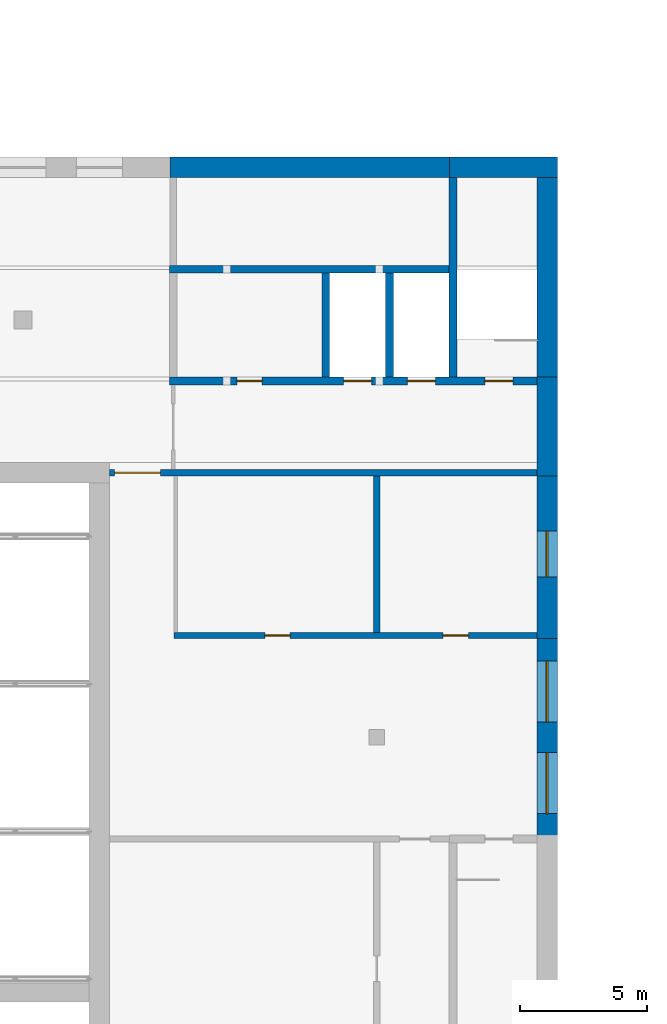
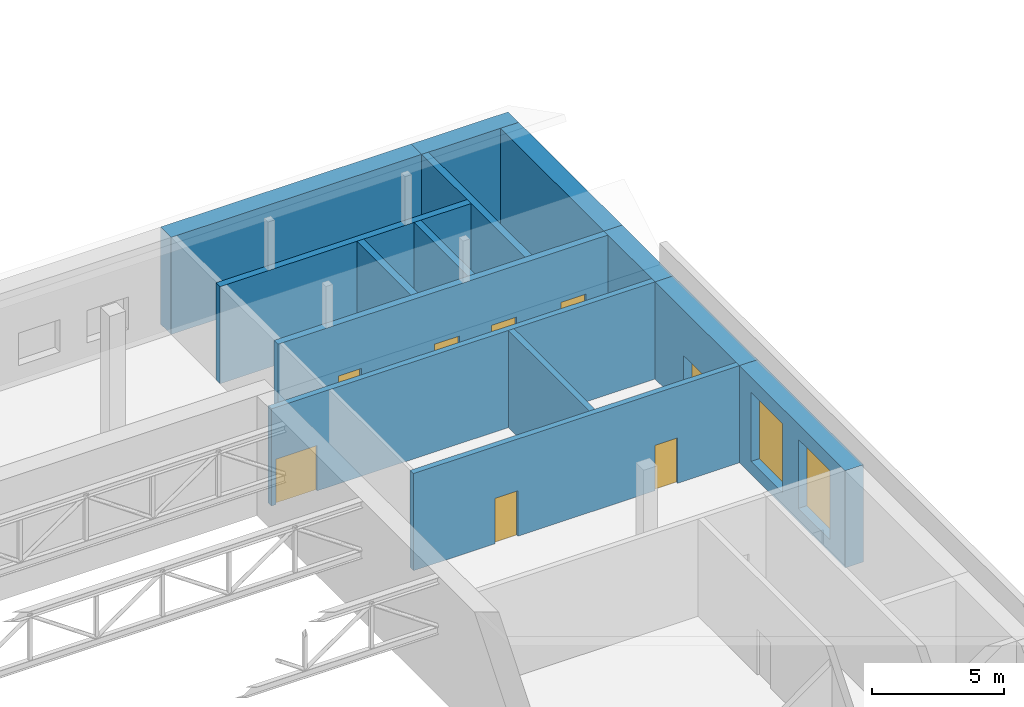
# One storey, part 18 of 35: 14 walls, 7 doors, 3 windows, 10 openings.
"""IFC4 building model written with IfcOpenShell, lengths in metres."""

from ifc_helpers import new_model, si_unit, direction, frame, frame_2d, origin, place, context, subcontext, project, spatial, rectangle, extrude, material, layer, layer_set, type_object, element, fill, save


model = new_model("IFC4")

# Units and contexts
model_context = context("Model", 3, precision=1e-05, world=origin(), true_north=direction((0.0, 1.0)))
body_context = subcontext(model_context, "Body", "Model", "MODEL_VIEW")
ifc_project = project(units=[si_unit("LENGTHUNIT", "METRE"), si_unit("AREAUNIT", "SQUARE_METRE"), si_unit("VOLUMEUNIT", "CUBIC_METRE"), si_unit("PLANEANGLEUNIT", "RADIAN"), si_unit("MASSUNIT", "GRAM", prefix="KILO")], contexts=[model_context])

# Site, building, storey
site_placement = place(None, origin())
site = spatial("IfcSite", under=ifc_project, at=site_placement, CompositionType="ELEMENT")
building_placement = place(site_placement, origin())
building = spatial("IfcBuilding", under=site, at=building_placement, Name="Kiln Ring Residences", CompositionType="ELEMENT")
storey_placement = place(building_placement, frame((0.0, 0.0, 20.89990234375)))
storey = spatial("IfcBuildingStorey", under=building, at=storey_placement, Name="L04", CompositionType="ELEMENT", Elevation=20.89990234375)

# Walls
ifc_material_1 = material(Name="Concrete C40/50", Category="concrete")
ifc_layer_1 = layer(ifc_material_1, 0.800048828125)
ifc_layer_set_1 = layer_set([ifc_layer_1], Name="Hall Exposed brick-faced reinforced concrete C40/50 wall 800")
wall_type_1 = type_object("IfcWallType", Name="Hall Exposed brick-faced reinforced concrete C40/50 wall 800", PredefinedType="SOLIDWALL", material=ifc_layer_set_1)
wall_1_placement = place(storey_placement, frame((14.775146484375, -112.800048828125, 0.0), z_axis=(0.0, 0.0, 1.0), x_axis=(1.0, 0.0, 0.0)))
element("IfcWall", 1, at=wall_1_placement, inside=storey, type_object=wall_type_1, Name="Hall wall L04 29", PredefinedType="SOLIDWALL", context=body_context, shape_type="SweptSolid", body=[
    extrude(rectangle(XDim=11.274658203125, YDim=0.800048828125, at=frame_2d((5.63720703125, 0.0))), origin(), (0.0, 0.0, 1.0), 4.5),
])
wall_2_placement = place(storey_placement, frame((25.75, -112.800048828125, 0.0), z_axis=(0.0, 0.0, 1.0), x_axis=(1.0, 0.0, 0.0)))
element("IfcWall", 2, at=wall_2_placement, inside=storey, type_object=wall_type_1, Name="Hall wall L04 30", PredefinedType="SOLIDWALL", context=body_context, shape_type="SweptSolid", body=[
    extrude(rectangle(XDim=4.25, YDim=0.800048828125, at=frame_2d((2.125, 0.0))), origin(), (0.0, 0.0, 1.0), 4.5),
])

# Wall, openings, windows
wall_3_placement = place(storey_placement, frame((29.60009765625, -131.0751953125, 0.0), z_axis=(0.0, 0.0, 1.0), x_axis=(0.0, -1.0, 0.0)))
wall_3 = element("IfcWall", 3, at=wall_3_placement, inside=storey, type_object=wall_type_1, Name="Hall wall L04 65", PredefinedType="SOLIDWALL", context=body_context, shape_type="SweptSolid", body=[
    extrude(rectangle(XDim=8.274658203125, YDim=0.800048828125, at=frame_2d((4.13720703125, 0.0))), origin(), (0.0, 0.0, 1.0), 4.5),
])
opening_1_placement = place(wall_3_placement, frame((4.724853515625, 0.0, 0.60009765625)))
opening_1 = element("IfcOpeningElement", 4, at=opening_1_placement, cuts=wall_3, Name="Opening WL04-12", PredefinedType="OPENING", context=body_context, shape_type="SweptSolid", body=[
    extrude(rectangle(XDim=2.39990234375, YDim=3.199951171875, at=frame_2d((1.199951171875, 1.60009765625))), frame((0.0, 0.409912109375, 0.0), z_axis=(0.0, -1.0, 0.0), x_axis=(1.0, 0.0, 0.0)), (0.0, 0.0, 1.0), 0.820068359375),
])
opening_2_placement = place(wall_3_placement, frame((1.125, 0.0, 0.60009765625)))
opening_2 = element("IfcOpeningElement", 5, at=opening_2_placement, cuts=wall_3, Name="Opening WL04-13", PredefinedType="OPENING", context=body_context, shape_type="SweptSolid", body=[
    extrude(rectangle(XDim=2.39990234375, YDim=3.199951171875, at=frame_2d((1.199951171875, 1.60009765625))), frame((0.0, 0.409912109375, 0.0), z_axis=(0.0, -1.0, 0.0), x_axis=(1.0, 0.0, 0.0)), (0.0, 0.0, 1.0), 0.820068359375),
])
ifc_material_2 = material(Name="Glazing in aluminium frame", Category="aluminium")
window_type_1 = type_object("IfcWindowType", Name="Hall foyer window 2400 x 3200", PartitioningType="SINGLE_PANEL", PredefinedType="WINDOW", material=ifc_material_2)
window_1_placement = place(opening_1_placement, origin())
window_1 = element("IfcWindow", 6, at=window_1_placement, inside=storey, type_object=window_type_1, Name="Hall window L04-12", OverallHeight=3.199951171875, OverallWidth=2.39990234375, PartitioningType="SINGLE_PANEL", PredefinedType="WINDOW", context=body_context, shape_type="SweptSolid", body=[
    extrude(rectangle(XDim=2.39990234375, YDim=3.199951171875, at=frame_2d((1.199951171875, 1.60009765625))), frame((0.0, 0.030029296875, 0.0), z_axis=(0.0, -1.0, 0.0), x_axis=(1.0, 0.0, 0.0)), (0.0, 0.0, 1.0), 0.06005859375),
])
fill(opening_1, window_1)
window_2_placement = place(opening_2_placement, origin())
window_2 = element("IfcWindow", 7, at=window_2_placement, inside=storey, type_object=window_type_1, Name="Hall window L04-13", OverallHeight=3.199951171875, OverallWidth=2.39990234375, PartitioningType="SINGLE_PANEL", PredefinedType="WINDOW", context=body_context, shape_type="SweptSolid", body=[
    extrude(rectangle(XDim=2.39990234375, YDim=3.199951171875, at=frame_2d((1.199951171875, 1.60009765625))), frame((0.0, 0.030029296875, 0.0), z_axis=(0.0, -1.0, 0.0), x_axis=(1.0, 0.0, 0.0)), (0.0, 0.0, 1.0), 0.06005859375),
])
fill(opening_2, window_2)

# Wall, opening, window
wall_4_placement = place(storey_placement, frame((29.60009765625, -124.675048828125, 0.0), z_axis=(0.0, 0.0, 1.0), x_axis=(0.0, -1.0, 0.0)))
wall_4 = element("IfcWall", 8, at=wall_4_placement, inside=storey, type_object=wall_type_1, Name="Hall wall L04 66", PredefinedType="SOLIDWALL", context=body_context, shape_type="SweptSolid", body=[
    extrude(rectangle(XDim=6.64990234375, YDim=0.800048828125, at=frame_2d((3.324951171875, 0.0))), origin(), (0.0, 0.0, 1.0), 4.5),
])
opening_3_placement = place(wall_4_placement, frame((2.4248046875, 0.0, 0.89990234375)))
opening_3 = element("IfcOpeningElement", 9, at=opening_3_placement, cuts=wall_4, Name="Opening WL04-14", PredefinedType="OPENING", context=body_context, shape_type="SweptSolid", body=[
    extrude(rectangle(XDim=1.800048828125, YDim=1.5, at=frame_2d((0.89990234375, 0.75))), frame((0.0, 0.409912109375, 0.0), z_axis=(0.0, -1.0, 0.0), x_axis=(1.0, 0.0, 0.0)), (0.0, 0.0, 1.0), 0.820068359375),
])
ifc_material_3 = material(Name="Glazing in aluminium frame", Category="aluminium")
window_type_2 = type_object("IfcWindowType", Name="Hall room window 1800 x 1500", PartitioningType="DOUBLE_PANEL_VERTICAL", PredefinedType="WINDOW", material=ifc_material_3)
window_3_placement = place(opening_3_placement, origin())
window_3 = element("IfcWindow", 10, at=window_3_placement, inside=storey, type_object=window_type_2, Name="Hall window L04-14", OverallHeight=1.5, OverallWidth=1.800048828125, PartitioningType="SINGLE_PANEL", PredefinedType="WINDOW", context=body_context, shape_type="SweptSolid", body=[
    extrude(rectangle(XDim=1.800048828125, YDim=1.5, at=frame_2d((0.89990234375, 0.75))), frame((0.0, 0.030029296875, 0.0), z_axis=(0.0, -1.0, 0.0), x_axis=(1.0, 0.0, 0.0)), (0.0, 0.0, 1.0), 0.06005859375),
])
fill(opening_3, window_3)

# Walls
wall_5_placement = place(storey_placement, frame((29.60009765625, -121.050048828125, 0.0), z_axis=(0.0, 0.0, 1.0), x_axis=(0.0, -1.0, 0.0)))
element("IfcWall", 11, at=wall_5_placement, inside=storey, type_object=wall_type_1, Name="Hall wall L04 67", PredefinedType="SOLIDWALL", context=body_context, shape_type="SweptSolid", body=[
    extrude(rectangle(XDim=3.874755859375, YDim=0.800048828125, at=frame_2d((1.9375, 0.0))), origin(), (0.0, 0.0, 1.0), 4.5),
])
wall_6_placement = place(storey_placement, frame((29.60009765625, -113.199951171875, 0.0), z_axis=(0.0, 0.0, 1.0), x_axis=(0.0, -1.0, 0.0)))
element("IfcWall", 12, at=wall_6_placement, inside=storey, type_object=wall_type_1, Name="Hall wall L04 68", PredefinedType="SOLIDWALL", context=body_context, shape_type="SweptSolid", body=[
    extrude(rectangle(XDim=8.14990234375, YDim=0.800048828125, at=frame_2d((4.074951171875, 0.0))), origin(), (0.0, 0.0, 1.0), 4.5),
])

# Wall, openings, doors
ifc_material_4 = material(Name="Concrete C40/50", Category="concrete")
ifc_layer_2 = layer(ifc_material_4, 0.300048828125)
ifc_layer_set_2 = layer_set([ifc_layer_2], Name="Hall Reinforced concrete C40/50 core wall 300")
wall_type_2 = type_object("IfcWallType", Name="Hall Reinforced concrete C40/50 core wall 300", PredefinedType="SOLIDWALL", material=ifc_layer_set_2)
wall_7_placement = place(storey_placement, frame((14.75, -121.199951171875, 0.0), z_axis=(0.0, 0.0, 1.0), x_axis=(1.0, 0.0, 0.0)))
wall_7 = element("IfcWall", 13, at=wall_7_placement, inside=storey, type_object=wall_type_2, Name="Hall wall L04 23", PredefinedType="SOLIDWALL", context=body_context, shape_type="SweptSolid", body=[
    extrude(rectangle(XDim=14.449951171875, YDim=0.300048828125, at=frame_2d((7.22509765625, 0.0))), origin(), (0.0, 0.0, 1.0), 4.5),
])
opening_4_placement = place(wall_7_placement, frame((6.85009765625, 0.0, 0.0)))
opening_4 = element("IfcOpeningElement", 14, at=opening_4_placement, cuts=wall_7, Name="Opening L04-03", PredefinedType="OPENING", context=body_context, shape_type="SweptSolid", body=[
    extrude(rectangle(XDim=1.10009765625, YDim=2.10009765625, at=frame_2d((0.550048828125, 1.050048828125))), frame((0.0, 0.159912109375, 0.0), z_axis=(0.0, -1.0, 0.0), x_axis=(1.0, 0.0, 0.0)), (0.0, 0.0, 1.0), 0.320068359375),
])
opening_5_placement = place(wall_7_placement, frame((9.35009765625, 0.0, 0.0)))
opening_5 = element("IfcOpeningElement", 15, at=opening_5_placement, cuts=wall_7, Name="Opening L04-04", PredefinedType="OPENING", context=body_context, shape_type="SweptSolid", body=[
    extrude(rectangle(XDim=1.10009765625, YDim=2.10009765625, at=frame_2d((0.550048828125, 1.050048828125))), frame((0.0, 0.159912109375, 0.0), z_axis=(0.0, -1.0, 0.0), x_axis=(1.0, 0.0, 0.0)), (0.0, 0.0, 1.0), 0.320068359375),
])
opening_6_placement = place(wall_7_placement, frame((12.39990234375, 0.0, 0.0)))
opening_6 = element("IfcOpeningElement", 16, at=opening_6_placement, cuts=wall_7, Name="Opening L04-07", PredefinedType="OPENING", context=body_context, shape_type="SweptSolid", body=[
    extrude(rectangle(XDim=1.10009765625, YDim=2.10009765625, at=frame_2d((0.550048828125, 1.050048828125))), frame((0.0, 0.159912109375, 0.0), z_axis=(0.0, -1.0, 0.0), x_axis=(1.0, 0.0, 0.0)), (0.0, 0.0, 1.0), 0.320068359375),
])
opening_7_placement = place(wall_7_placement, frame((2.64990234375, 0.0, 0.0)))
opening_7 = element("IfcOpeningElement", 17, at=opening_7_placement, cuts=wall_7, Name="Opening L04-11", PredefinedType="OPENING", context=body_context, shape_type="SweptSolid", body=[
    extrude(rectangle(XDim=1.0, YDim=2.10009765625, at=frame_2d((0.5, 1.050048828125))), frame((0.0, 0.159912109375, 0.0), z_axis=(0.0, -1.0, 0.0), x_axis=(1.0, 0.0, 0.0)), (0.0, 0.0, 1.0), 0.320068359375),
])
ifc_material_5 = material(Name="Steel door leaf", Category="steel")
door_type_1 = type_object("IfcDoorType", Name="Hall Lift landing door 1100 x 2100", OperationType="DOUBLE_DOOR_SLIDING", PredefinedType="DOOR", material=ifc_material_5)
door_1_placement = place(opening_4_placement, origin())
door_1 = element("IfcDoor", 18, at=door_1_placement, inside=storey, type_object=door_type_1, Name="Hall door L04-03", OperationType="DOUBLE_DOOR_SLIDING", OverallHeight=2.10009765625, OverallWidth=1.10009765625, PredefinedType="DOOR", context=body_context, shape_type="SweptSolid", body=[
    extrude(rectangle(XDim=1.10009765625, YDim=2.10009765625, at=frame_2d((0.550048828125, 1.050048828125))), frame((0.0, 0.02490234375, 0.0), z_axis=(0.0, -1.0, 0.0), x_axis=(1.0, 0.0, 0.0)), (0.0, 0.0, 1.0), 0.050048828125),
])
fill(opening_4, door_1)
door_2_placement = place(opening_5_placement, origin())
door_2 = element("IfcDoor", 19, at=door_2_placement, inside=storey, type_object=door_type_1, Name="Hall door L04-04", OperationType="DOUBLE_DOOR_SLIDING", OverallHeight=2.10009765625, OverallWidth=1.10009765625, PredefinedType="DOOR", context=body_context, shape_type="SweptSolid", body=[
    extrude(rectangle(XDim=1.10009765625, YDim=2.10009765625, at=frame_2d((0.550048828125, 1.050048828125))), frame((0.0, 0.02490234375, 0.0), z_axis=(0.0, -1.0, 0.0), x_axis=(1.0, 0.0, 0.0)), (0.0, 0.0, 1.0), 0.050048828125),
])
fill(opening_5, door_2)
ifc_material_6 = material(Name="Steel door leaf", Category="steel")
door_type_2 = type_object("IfcDoorType", Name="Hall Single door 1000 x 2100", OperationType="SINGLE_SWING_LEFT", PredefinedType="DOOR", material=ifc_material_6)
door_3_placement = place(opening_7_placement, origin())
door_3 = element("IfcDoor", 20, at=door_3_placement, inside=storey, type_object=door_type_2, Name="Hall door L04-11", OperationType="SINGLE_SWING_LEFT", OverallHeight=2.10009765625, OverallWidth=1.0, PredefinedType="DOOR", context=body_context, shape_type="SweptSolid", body=[
    extrude(rectangle(XDim=1.0, YDim=2.10009765625, at=frame_2d((0.5, 1.050048828125))), frame((0.0, 0.02490234375, 0.0), z_axis=(0.0, -1.0, 0.0), x_axis=(1.0, 0.0, 0.0)), (0.0, 0.0, 1.0), 0.050048828125),
])
fill(opening_7, door_3)
ifc_material_7 = material(Name="Steel door leaf", Category="steel")
door_type_3 = type_object("IfcDoorType", Name="Hall Stair door 1100 x 2100", OperationType="SINGLE_SWING_LEFT", PredefinedType="DOOR", material=ifc_material_7)
door_4_placement = place(opening_6_placement, origin())
door_4 = element("IfcDoor", 21, at=door_4_placement, inside=storey, type_object=door_type_3, Name="Hall door L04-07", OperationType="SINGLE_SWING_LEFT", OverallHeight=2.10009765625, OverallWidth=1.10009765625, PredefinedType="DOOR", context=body_context, shape_type="SweptSolid", body=[
    extrude(rectangle(XDim=1.10009765625, YDim=2.10009765625, at=frame_2d((0.550048828125, 1.050048828125))), frame((0.0, 0.02490234375, 0.0), z_axis=(0.0, -1.0, 0.0), x_axis=(1.0, 0.0, 0.0)), (0.0, 0.0, 1.0), 0.050048828125),
])
fill(opening_6, door_4)

# Walls
wall_8_placement = place(storey_placement, frame((14.75, -116.800048828125, 0.0), z_axis=(0.0, 0.0, 1.0), x_axis=(1.0, 0.0, 0.0)))
element("IfcWall", 22, at=wall_8_placement, inside=storey, type_object=wall_type_2, Name="Hall wall L04 25", PredefinedType="SOLIDWALL", context=body_context, shape_type="SweptSolid", body=[
    extrude(rectangle(XDim=11.0, YDim=0.300048828125, at=frame_2d((5.5, 0.0))), origin(), (0.0, 0.0, 1.0), 4.5),
])
for number, where, z_axis, x_axis, name in (
    (23, (20.89990234375, -121.050048828125, 0.0), (0.0, 0.0, 1.0), (0.0, 1.0, 0.0), "Hall wall L04 55"),
    (24, (23.39990234375, -121.050048828125, 0.0), (0.0, 0.0, 1.0), (0.0, 1.0, 0.0), "Hall wall L04 58"),
):
    element("IfcWall", number, at=place(storey_placement, frame(where, z_axis=z_axis, x_axis=x_axis)), inside=storey, type_object=wall_type_2, Name=name, PredefinedType="SOLIDWALL", context=body_context, shape_type="SweptSolid", body=[
        extrude(rectangle(XDim=4.10009765625, YDim=0.300048828125, at=frame_2d((2.050048828125, 0.0))), origin(), (0.0, 0.0, 1.0), 4.5),
    ])
wall_9_placement = place(storey_placement, frame((25.89990234375, -121.050048828125, 0.0), z_axis=(0.0, 0.0, 1.0), x_axis=(0.0, 1.0, 0.0)))
element("IfcWall", 25, at=wall_9_placement, inside=storey, type_object=wall_type_2, Name="Hall wall L04 61", PredefinedType="SOLIDWALL", context=body_context, shape_type="SweptSolid", body=[
    extrude(rectangle(XDim=7.85009765625, YDim=0.300048828125, at=frame_2d((3.925048828125, 0.0))), origin(), (0.0, 0.0, 1.0), 4.5),
])

# Wall, openings, doors
ifc_material_8 = material(Name="Concrete C40/50", Category="concrete")
ifc_layer_3 = layer(ifc_material_8, 0.25)
ifc_layer_set_3 = layer_set([ifc_layer_3], Name="Hall Reinforced concrete C40/50 wall 250")
wall_type_3 = type_object("IfcWallType", Name="Hall Reinforced concrete C40/50 wall 250", PredefinedType="SOLIDWALL", material=ifc_layer_set_3)
wall_10_placement = place(storey_placement, frame((14.925048828125, -131.199951171875, 0.0), z_axis=(0.0, 0.0, 1.0), x_axis=(1.0, 0.0, 0.0)))
wall_10 = element("IfcWall", 26, at=wall_10_placement, inside=storey, type_object=wall_type_3, Name="Hall wall L04 18", PredefinedType="SOLIDWALL", context=body_context, shape_type="SweptSolid", body=[
    extrude(rectangle(XDim=14.27490234375, YDim=0.25, at=frame_2d((7.137451171875, 0.0))), origin(), (0.0, 0.0, 1.0), 4.5),
])
opening_8_placement = place(wall_10_placement, frame((3.574951171875, 0.0, 0.0)))
opening_8 = element("IfcOpeningElement", 27, at=opening_8_placement, cuts=wall_10, Name="Opening L04-26", PredefinedType="OPENING", context=body_context, shape_type="SweptSolid", body=[
    extrude(rectangle(XDim=1.0, YDim=2.10009765625, at=frame_2d((0.5, 1.050048828125))), frame((0.0, 0.135009765625, 0.0), z_axis=(0.0, -1.0, 0.0), x_axis=(1.0, 0.0, 0.0)), (0.0, 0.0, 1.0), 0.27001953125),
])
opening_9_placement = place(wall_10_placement, frame((10.574951171875, 0.0, 0.0)))
opening_9 = element("IfcOpeningElement", 28, at=opening_9_placement, cuts=wall_10, Name="Opening L04-27", PredefinedType="OPENING", context=body_context, shape_type="SweptSolid", body=[
    extrude(rectangle(XDim=1.0, YDim=2.10009765625, at=frame_2d((0.5, 1.050048828125))), frame((0.0, 0.135009765625, 0.0), z_axis=(0.0, -1.0, 0.0), x_axis=(1.0, 0.0, 0.0)), (0.0, 0.0, 1.0), 0.27001953125),
])
door_5_placement = place(opening_8_placement, origin())
door_5 = element("IfcDoor", 29, at=door_5_placement, inside=storey, type_object=door_type_2, Name="Hall door L04-26", OperationType="SINGLE_SWING_RIGHT", OverallHeight=2.10009765625, OverallWidth=1.0, PredefinedType="DOOR", context=body_context, shape_type="SweptSolid", body=[
    extrude(rectangle(XDim=1.0, YDim=2.10009765625, at=frame_2d((0.5, 1.050048828125))), frame((0.0, 0.02490234375, 0.0), z_axis=(0.0, -1.0, 0.0), x_axis=(1.0, 0.0, 0.0)), (0.0, 0.0, 1.0), 0.050048828125),
])
fill(opening_8, door_5)
door_6_placement = place(opening_9_placement, origin())
door_6 = element("IfcDoor", 30, at=door_6_placement, inside=storey, type_object=door_type_2, Name="Hall door L04-27", OperationType="SINGLE_SWING_LEFT", OverallHeight=2.10009765625, OverallWidth=1.0, PredefinedType="DOOR", context=body_context, shape_type="SweptSolid", body=[
    extrude(rectangle(XDim=1.0, YDim=2.10009765625, at=frame_2d((0.5, 1.050048828125))), frame((0.0, 0.02490234375, 0.0), z_axis=(0.0, -1.0, 0.0), x_axis=(1.0, 0.0, 0.0)), (0.0, 0.0, 1.0), 0.050048828125),
])
fill(opening_9, door_6)

# Wall, opening, door
wall_11_placement = place(storey_placement, frame((12.39990234375, -124.800048828125, 0.0), z_axis=(0.0, 0.0, 1.0), x_axis=(1.0, 0.0, 0.0)))
wall_11 = element("IfcWall", 31, at=wall_11_placement, inside=storey, type_object=wall_type_3, Name="Hall wall L04 21", PredefinedType="SOLIDWALL", context=body_context, shape_type="SweptSolid", body=[
    extrude(rectangle(XDim=16.800048828125, YDim=0.25, at=frame_2d((8.39990234375, 0.0))), origin(), (0.0, 0.0, 1.0), 4.5),
])
opening_10_placement = place(wall_11_placement, frame((0.199951171875, 0.0, 0.0)))
opening_10 = element("IfcOpeningElement", 32, at=opening_10_placement, cuts=wall_11, Name="Opening L04-15", PredefinedType="OPENING", context=body_context, shape_type="SweptSolid", body=[
    extrude(rectangle(XDim=1.800048828125, YDim=2.10009765625, at=frame_2d((0.89990234375, 1.050048828125))), frame((0.0, 0.135009765625, 0.0), z_axis=(0.0, -1.0, 0.0), x_axis=(1.0, 0.0, 0.0)), (0.0, 0.0, 1.0), 0.27001953125),
])
ifc_material_9 = material(Name="Steel door leaf", Category="steel")
door_type_4 = type_object("IfcDoorType", Name="Hall Double door 1800 x 2100", OperationType="DOUBLE_DOOR_SINGLE_SWING", PredefinedType="DOOR", material=ifc_material_9)
door_7_placement = place(opening_10_placement, origin())
door_7 = element("IfcDoor", 33, at=door_7_placement, inside=storey, type_object=door_type_4, Name="Hall door L04-15", OperationType="DOUBLE_DOOR_SINGLE_SWING", OverallHeight=2.10009765625, OverallWidth=1.800048828125, PredefinedType="DOOR", context=body_context, shape_type="SweptSolid", body=[
    extrude(rectangle(XDim=1.800048828125, YDim=2.10009765625, at=frame_2d((0.89990234375, 1.050048828125))), frame((0.0, 0.02490234375, 0.0), z_axis=(0.0, -1.0, 0.0), x_axis=(1.0, 0.0, 0.0)), (0.0, 0.0, 1.0), 0.050048828125),
])
fill(opening_10, door_7)

# Wall
wall_12_placement = place(storey_placement, frame((22.89990234375, -131.074951171875, 0.0), z_axis=(0.0, 0.0, 1.0), x_axis=(0.0, 1.0, 0.0)))
element("IfcWall", 34, at=wall_12_placement, inside=storey, type_object=wall_type_3, Name="Hall wall L04 57", PredefinedType="SOLIDWALL", context=body_context, shape_type="SweptSolid", body=[
    extrude(rectangle(XDim=6.14990234375, YDim=0.25, at=frame_2d((3.074951171875, 0.0))), origin(), (0.0, 0.0, 1.0), 4.5),
])

save(model, "model.ifc")
